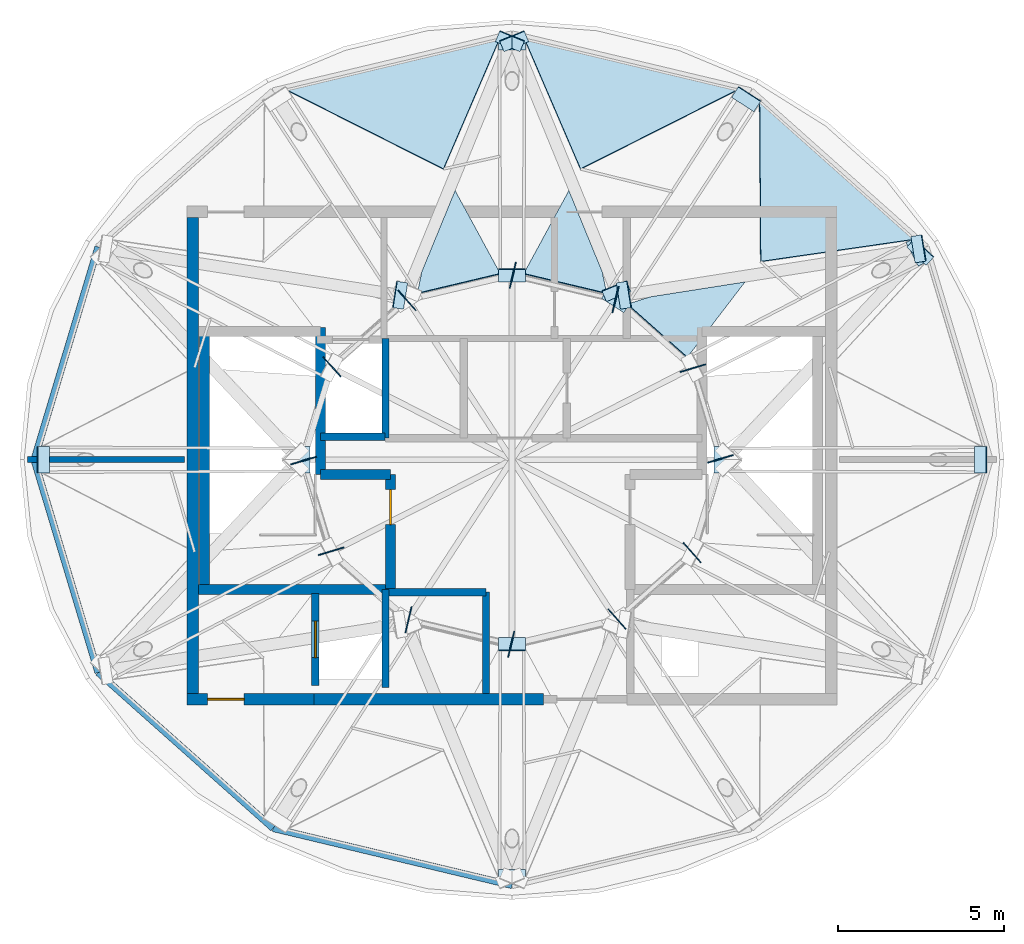
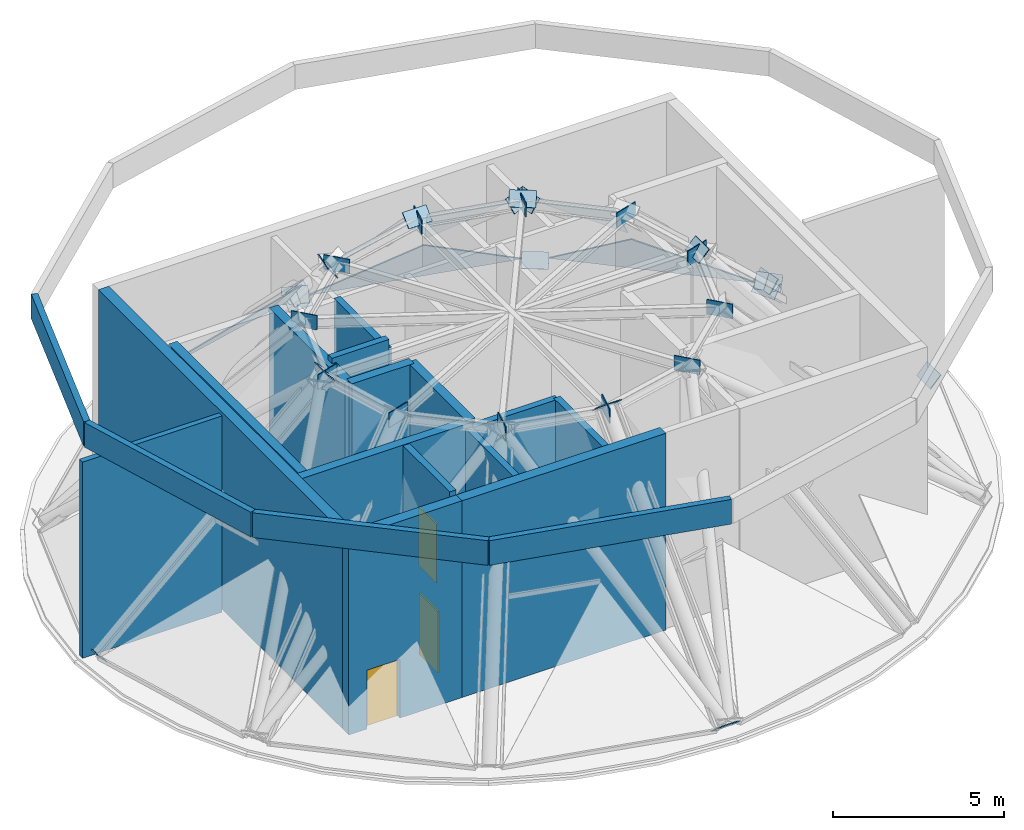
# One storey, part 4 of 6: 36 plates, 19 walls, 3 doors, 3 openings, 3 elements without a shape of their own.
"""IFC4 building model written with IfcOpenShell, lengths in metres."""

from ifc_helpers import new_model, si_unit, direction, frame, frame_2d, origin, origin_2d, place, context, subcontext, project, spatial, polyline, rectangle, outline, extrude, material, layer, layer_set, type_object, element, fill, aggregate, save


model = new_model("IFC4")

# Units and contexts
model_context = context("Model", 3, precision=1e-05, world=origin(), true_north=direction((0.0, 1.0)))
body_context = subcontext(model_context, "Body", "Model", "MODEL_VIEW")
ifc_project = project(units=[si_unit("LENGTHUNIT", "METRE"), si_unit("AREAUNIT", "SQUARE_METRE"), si_unit("VOLUMEUNIT", "CUBIC_METRE"), si_unit("PLANEANGLEUNIT", "RADIAN"), si_unit("MASSUNIT", "GRAM", prefix="KILO")], contexts=[model_context])

# Site, building, storey
site_placement = place(None, origin())
site = spatial("IfcSite", under=ifc_project, at=site_placement, CompositionType="ELEMENT")
building_placement = place(site_placement, origin())
building = spatial("IfcBuilding", under=site, at=building_placement, Name="Vantalir Tower", CompositionType="ELEMENT")
storey_placement = place(building_placement, frame((0.0, 0.0, 340.75)))
storey = spatial("IfcBuildingStorey", under=building, at=storey_placement, Name="L81", CompositionType="ELEMENT", Elevation=340.75)

# Curtain wall, plates
ifc_material_1 = material(Name="Champagne-silver PVDF aluminium and double-silver Low-E glass", Category="aluminium")
ifc_layer_1 = layer(ifc_material_1, 0.25)
ifc_layer_set_1 = layer_set([ifc_layer_1], Name="Champagne-silver PVDF aluminium and double-silver Low-E glass")
curtain_wall_type = type_object("IfcCurtainWallType", Name="CW-CROWN-PT", PredefinedType="USERDEFINED", material=ifc_layer_set_1)
curtain_wall_1_placement = place(storey_placement, origin())
curtain_wall_1 = element("IfcCurtainWall", 1, at=curtain_wall_1_placement, inside=storey, type_object=curtain_wall_type, Name="L81 Quilted Pyramid-Diamond Curtain Wall S02", ObjectType="UNITISED CURTAIN WALL", PredefinedType="USERDEFINED")
ifc_material_2 = material(Name="Faceted crown Low-E glass IGU", Category="glass")
ifc_layer_2 = layer(ifc_material_2, 0.033935546875)
ifc_layer_set_2 = layer_set([ifc_layer_2], Name="Faceted crown Low-E glass IGU")
plate_type_1 = type_object("IfcPlateType", Name="CWP-IGU-CRN-34", PredefinedType="CURTAIN_PANEL", material=ifc_layer_set_2)
plate_1_placement = place(storey_placement, frame((43.59130859375, 31.627197265625, 0.047119140625), z_axis=(0.47085544286, 0.528895832771, 0.706090893587), x_axis=(-0.746900141216, 0.664936221793, 0.0)))
plate_1 = element("IfcPlate", 2, at=plate_1_placement, type_object=plate_type_1, Name="CW-L81-S02 Pyramid Diamond Facet 1L", PredefinedType="CURTAIN_PANEL", context=body_context, shape_type="SweptSolid", body=[
    extrude(outline(polyline([(0.0, 0.0), (6.219390539027804, 4.440892098500626e-16), (3.0018507389684617, 5.046777884015427), (0.0, 0.0)])), origin(), (0.0, 0.0, -1.0), 0.033935546875),
])
plate_2_placement = place(storey_placement, frame((36.774169921875, 28.08349609375, 7.201171875), z_axis=(0.466950015206, 0.526189196339, 0.710691644073), x_axis=(-0.748159180665, 0.663519214309, 0.000304349513)))
plate_2 = element("IfcPlate", 3, at=plate_2_placement, type_object=plate_type_1, Name="CW-L81-S02 Pyramid Diamond Facet 2U", PredefinedType="CURTAIN_PANEL", context=body_context, shape_type="SweptSolid", body=[
    extrude(outline(polyline([(0.0, 0.0), (2.405644291032028, 1.1600963245594897e-17), (2.0409766761947306, -0.862571783400998), (0.20417968691725383, -3.995506891330522), (0.0, 0.0)])), origin(), (0.0, 0.0, -1.0), 0.033935546875),
])
aggregate(curtain_wall_1, [plate_1, plate_2])

curtain_wall_2_placement = place(storey_placement, origin())
curtain_wall_2 = element("IfcCurtainWall", 4, at=curtain_wall_2_placement, inside=storey, type_object=curtain_wall_type, Name="L81 Quilted Pyramid-Diamond Curtain Wall S03", ObjectType="UNITISED CURTAIN WALL", PredefinedType="USERDEFINED")
plate_3_placement = place(storey_placement, frame((38.266845703125, 36.116943359375, 0.046875), z_axis=(0.168123624686, 0.704736174202, 0.689261468235), x_axis=(-0.972711921088, 0.232016200272, 3.7205933e-05)))
plate_3 = element("IfcPlate", 5, at=plate_3_placement, type_object=plate_type_1, Name="CW-L81-S03 Pyramid Diamond Facet 1L", PredefinedType="CURTAIN_PANEL", context=body_context, shape_type="SweptSolid", body=[
    extrude(outline(polyline([(0.0, 0.0), (6.56187341968544, 1.250356155418908e-16), (4.026289871392273, 4.932392149191616), (0.0, 0.0)])), origin(), (0.0, 0.0, -1.0), 0.033935546875),
])
plate_4_placement = place(storey_placement, frame((34.3466796875, 30.00634765625, 7.20166015625), z_axis=(0.166434802453, 0.700157869869, 0.694318668764), x_axis=(-0.97286447464, 0.231375669371, -0.000116645511)))
plate_4 = element("IfcPlate", 6, at=plate_4_placement, type_object=plate_type_1, Name="CW-L81-S03 Pyramid Diamond Facet 2U", PredefinedType="CURTAIN_PANEL", context=body_context, shape_type="SweptSolid", body=[
    extrude(outline(polyline([(0.0, 0.0), (2.5617140622571855, 5.575509672006707e-17), (1.8206224080764046, -3.946092889802648), (0.2843916088266361, -0.8661115817483311), (0.0, 0.0)])), origin(), (0.0, 0.0, -1.0), 0.033935546875),
])
aggregate(curtain_wall_2, [plate_3, plate_4])

curtain_wall_3_placement = place(storey_placement, origin())
curtain_wall_3 = element("IfcCurtainWall", 7, at=curtain_wall_3_placement, inside=storey, type_object=curtain_wall_type, Name="L81 Quilted Pyramid-Diamond Curtain Wall S04", ObjectType="UNITISED CURTAIN WALL", PredefinedType="USERDEFINED")
plate_5_placement = place(storey_placement, frame((31.115966796875, 37.639404296875, 0.047119140625), z_axis=(-0.168123624686, 0.704736174202, 0.689261468235), x_axis=(-0.972711921088, -0.232016200272, -3.7205933e-05)))
plate_5 = element("IfcPlate", 8, at=plate_5_placement, type_object=plate_type_1, Name="CW-L81-S04 Pyramid Diamond Facet 1L", PredefinedType="CURTAIN_PANEL", context=body_context, shape_type="SweptSolid", body=[
    extrude(outline(polyline([(0.0, 0.0), (6.56187341968544, -1.250356155418908e-16), (2.535583548293166, 4.932392149191616), (0.0, 0.0)])), origin(), (0.0, 0.0, -1.0), 0.033935546875),
])
plate_6_placement = place(storey_placement, frame((31.1455078125, 30.59912109375, 7.201416015625), z_axis=(-0.166434802453, 0.700157869869, 0.694318668764), x_axis=(-0.97286447464, -0.231375669371, 0.000116645511)))
plate_6 = element("IfcPlate", 9, at=plate_6_placement, type_object=plate_type_1, Name="CW-L81-S04 Pyramid Diamond Facet 2U", PredefinedType="CURTAIN_PANEL", context=body_context, shape_type="SweptSolid", body=[
    extrude(outline(polyline([(0.0, 0.0), (2.5617140622571855, -5.575509672006707e-17), (2.277322453430549, -0.8661115817483314), (0.7410916541807805, -3.9460928898026486), (0.0, 0.0)])), origin(), (0.0, 0.0, -1.0), 0.033935546875),
])
aggregate(curtain_wall_3, [plate_5, plate_6])

# Plates
ifc_material_3 = material(Name="Steel S460", Category="steel")
ifc_layer_3 = layer(ifc_material_3, 0.031982421875)
ifc_layer_set_3 = layer_set([ifc_layer_3], Name="Steel S460")
plate_type_2 = type_object("IfcPlateType", Name="PLT-KN-Z3", PredefinedType="USERDEFINED", material=ifc_layer_set_3)
plate_7_placement = place(storey_placement, frame((37.575927734375, 25.39990234375, 7.075439453125), z_axis=(-0.734263237345, 0.0, 0.678864860103), x_axis=(0.0, -1.0, 0.0)))
element("IfcPlate", 10, at=plate_7_placement, inside=storey, type_object=plate_type_2, Name="L81 Ring Column Top Cap RC01", ObjectType="FLANGE_PLATE", PredefinedType="USERDEFINED", context=body_context, shape_type="SweptSolid", body=[
    extrude(outline(polyline([(0.0, 0.0), (0.7998046875, 0.0), (0.7998046875, 0.5200259499310439), (0.0, 0.5200259499310439), (0.0, 0.0)])), origin(), (0.0, 0.0, -1.0), 0.031982421875),
])
plate_8_placement = place(storey_placement, frame((45.398681640625, 25.39990234375, -0.155029296875), z_axis=(-0.734497286763, 0.0, 0.678611623639), x_axis=(0.0, -1.0, 0.0)))
element("IfcPlate", 11, at=plate_8_placement, inside=storey, type_object=plate_type_2, Name="L81 Ring Column Base Cap RC01", ObjectType="FLANGE_PLATE", PredefinedType="USERDEFINED", context=body_context, shape_type="SweptSolid", body=[
    extrude(outline(polyline([(0.0, 0.0), (0.7998046875, 0.0), (0.7998046875, 0.519860242347536), (0.0, 0.519860242347536), (0.0, 0.0)])), origin(), (0.0, 0.0, -1.0), 0.031982421875),
])
plate_9_placement = place(storey_placement, frame((43.3466796875, 31.527099609375, -0.152099609375), z_axis=(-0.644959051684, -0.332000033642, 0.688334075368), x_axis=(0.457625297504, -0.88914514141, -6.775628e-05)))
element("IfcPlate", 12, at=plate_9_placement, inside=storey, type_object=plate_type_2, Name="L81 Ring Column Base Cap RC02", ObjectType="FLANGE_PLATE", PredefinedType="USERDEFINED", context=body_context, shape_type="SweptSolid", body=[
    extrude(outline(polyline([(0.0, 0.0), (0.7998193647184004, 2.7755575615628914e-17), (0.799824812620426, 0.5200643397557038), (-0.00010627702412297597, 0.5199149131458727), (0.0, 0.0)])), origin(), (0.0, 0.0, -1.0), 0.031982421875),
])
plate_10_placement = place(storey_placement, frame((34.18994140625, 29.8544921875, 7.08349609375), z_axis=(-0.383502287784, -0.59226448206, 0.708624568128), x_axis=(0.839371437053, -0.543558266371, -4.1472866e-05)))
element("IfcPlate", 13, at=plate_10_placement, inside=storey, type_object=plate_type_2, Name="L81 Ring Column Top Cap RC03", ObjectType="FLANGE_PLATE", PredefinedType="USERDEFINED", context=body_context, shape_type="SweptSolid", body=[
    extrude(outline(polyline([(0.0, 0.0), (0.7998898252688998, 0.0), (0.7999809611601574, 0.5201019837185563), (-0.00011378877599158294, 0.5200079399430033), (0.0, 0.0)])), origin(), (0.0, 0.0, -1.0), 0.031982421875),
])
plate_11_placement = place(storey_placement, frame((38.100830078125, 35.894287109375, -0.145751953125), z_axis=(-0.383374096886, -0.592066509537, 0.708859330278), x_axis=(0.839371422049, -0.54355828954, -4.1472738e-05)))
element("IfcPlate", 14, at=plate_11_placement, inside=storey, type_object=plate_type_2, Name="L81 Ring Column Base Cap RC03", ObjectType="FLANGE_PLATE", PredefinedType="USERDEFINED", context=body_context, shape_type="SweptSolid", body=[
    extrude(outline(polyline([(0.0, 0.0), (0.7998898252698156, 5.551115123125783e-17), (0.7999809611592416, 0.519929765941413), (-0.00011378877416011763, 0.5198356910098434), (0.0, 0.0)])), origin(), (0.0, 0.0, -1.0), 0.031982421875),
])
for number, where, z_axis, x_axis, name in (
    (15, (31.10009765625, 30.34619140625, 7.086669921875), (0.0, -0.694317991894, 0.719668344539), (1.0, 0.0, 0.0), "L81 Ring Column Top Cap RC04"),
    (16, (31.10009765625, 37.319091796875, -0.142333984375), (0.0, -0.694317991894, 0.719668344539), (1.0, 0.0, 0.0), "L81 Ring Column Base Cap RC04"),
):
    element("IfcPlate", number, at=place(storey_placement, frame(where, z_axis=z_axis, x_axis=x_axis)), inside=storey, type_object=plate_type_2, Name=name, ObjectType="FLANGE_PLATE", PredefinedType="USERDEFINED", context=body_context, shape_type="SweptSolid", body=[
        extrude(outline(polyline([(0.0, 0.0), (0.7998046875, 0.0), (0.7998046875, 0.5200556353003765), (0.0, 0.5200556353003765), (0.0, 0.0)])), origin(), (0.0, 0.0, -1.0), 0.031982421875),
    ])
plate_12_placement = place(storey_placement, frame((25.424072265625, 24.60009765625, 7.075439453125), z_axis=(0.734263237345, 0.0, 0.678864860103), x_axis=(0.0, 1.0, 0.0)))
element("IfcPlate", 17, at=plate_12_placement, inside=storey, type_object=plate_type_2, Name="L81 Ring Column Top Cap RC07", ObjectType="FLANGE_PLATE", PredefinedType="USERDEFINED", context=body_context, shape_type="SweptSolid", body=[
    extrude(outline(polyline([(0.0, 0.0), (0.7998046875, 0.0), (0.7998046875, 0.5200259499310439), (0.0, 0.5200259499310439), (0.0, 0.0)])), origin(), (0.0, 0.0, -1.0), 0.031982421875),
])
plate_13_placement = place(storey_placement, frame((17.601318359375, 24.60009765625, -0.155029296875), z_axis=(0.734497286763, 0.0, 0.678611623639), x_axis=(0.0, 1.0, 0.0)))
element("IfcPlate", 18, at=plate_13_placement, inside=storey, type_object=plate_type_2, Name="L81 Ring Column Base Cap RC07", ObjectType="FLANGE_PLATE", PredefinedType="USERDEFINED", context=body_context, shape_type="SweptSolid", body=[
    extrude(outline(polyline([(0.0, 0.0), (0.7998046875, 0.0), (0.7998046875, 0.519860242347536), (0.0, 0.519860242347536), (0.0, 0.0)])), origin(), (0.0, 0.0, -1.0), 0.031982421875),
])
for number, where, z_axis, x_axis, name in (
    (19, (31.89990234375, 19.65380859375, 7.086669921875), (0.0, 0.694317991894, 0.719668344539), (-1.0, 0.0, 0.0), "L81 Ring Column Top Cap RC10"),
    (20, (31.89990234375, 12.680908203125, -0.142333984375), (0.0, 0.694317991894, 0.719668344539), (-1.0, 0.0, 0.0), "L81 Ring Column Base Cap RC10"),
):
    element("IfcPlate", number, at=place(storey_placement, frame(where, z_axis=z_axis, x_axis=x_axis)), inside=storey, type_object=plate_type_2, Name=name, ObjectType="FLANGE_PLATE", PredefinedType="USERDEFINED", context=body_context, shape_type="SweptSolid", body=[
        extrude(outline(polyline([(0.0, 0.0), (0.7998046875, 0.0), (0.7998046875, 0.5200556353003765), (0.0, 0.5200556353003765), (0.0, 0.0)])), origin(), (0.0, 0.0, -1.0), 0.031982421875),
    ])
plate_14_placement = place(storey_placement, frame((43.490966796875, 31.70849609375, 0.011474609375), z_axis=(-0.785735939388, -0.123814407257, 0.606043749336), x_axis=(0.155648326908, -0.987812531911, -1.1449276e-05)))
element("IfcPlate", 21, at=plate_14_placement, inside=storey, type_object=plate_type_2, Name="Node Cap Plate MEM-DG-L81-R04L Start", ObjectType="FLANGE_PLATE", PredefinedType="USERDEFINED", context=body_context, shape_type="SweptSolid", body=[
    extrude(outline(polyline([(0.0, 0.0), (0.800031692509212, 1.3877787807814457e-17), (0.8000028601900562, 0.5199485756029152), (0.00021233284976768555, 0.5199255480883864), (0.0, 0.0)])), origin(), (0.0, 0.0, -1.0), 0.031982421875),
])
plate_15_placement = place(storey_placement, frame((34.635986328125, 30.31396484375, 6.844482421875), z_axis=(-0.785515074428, -0.12377960388, 0.606337098906), x_axis=(0.155648318565, -0.987812533225, -1.1451598e-05)))
element("IfcPlate", 22, at=plate_15_placement, inside=storey, type_object=plate_type_2, Name="Node Cap Plate MEM-DG-L81-R04L End", ObjectType="FLANGE_PLATE", PredefinedType="USERDEFINED", context=body_context, shape_type="SweptSolid", body=[
    extrude(outline(polyline([(0.0, 0.0), (0.8000316925092923, 0.0), (0.8000408566457665, 0.5200947735439878), (0.0002503293057186982, 0.520071734883215), (0.0, 0.0)])), origin(), (0.0, 0.0, -1.0), 0.031982421875),
])
plate_16_placement = place(storey_placement, frame((43.363037109375, 31.391845703125, 0.021728515625), z_axis=(-0.532131812794, -0.565671523935, 0.629961475664), x_axis=(0.728398639626, -0.685153573424, 5.1150006e-05)))
element("IfcPlate", 23, at=plate_16_placement, inside=storey, type_object=plate_type_2, Name="Node Cap Plate MEM-DG-L81-R04R Start", ObjectType="FLANGE_PLATE", PredefinedType="USERDEFINED", context=body_context, shape_type="SweptSolid", body=[
    extrude(outline(polyline([(0.0, 0.0), (0.8000139953912334, 0.0), (0.8000354579622266, 0.5198995057462468), (0.0001992942701206379, 0.5200048747457753), (0.0, 0.0)])), origin(), (0.0, 0.0, -1.0), 0.031982421875),
])
plate_17_placement = place(storey_placement, frame((31.000244140625, 37.568359375, 0.027587890625), z_axis=(-0.290242096863, -0.708779613355, 0.642954885587), x_axis=(0.925415673901, -0.378953599401, 0.0)))
element("IfcPlate", 24, at=plate_17_placement, inside=storey, type_object=plate_type_2, Name="Node Cap Plate MEM-DG-L81-R10L Start", ObjectType="FLANGE_PLATE", PredefinedType="USERDEFINED", context=body_context, shape_type="SweptSolid", body=[
    extrude(outline(polyline([(0.0, 0.0), (0.8001577415519449, 0.0), (0.8001959554954987, 0.5198997954589216), (3.821394355375818e-05, 0.5198997954589216), (0.0, 0.0)])), origin(), (0.0, 0.0, -1.0), 0.031982421875),
])
plate_18_placement = place(storey_placement, frame((31.25927734375, 37.26513671875, 0.027587890625), z_axis=(0.290242096863, -0.708779613355, 0.642954885587), x_axis=(0.925415673901, 0.378953599401, 0.0)))
element("IfcPlate", 25, at=plate_18_placement, inside=storey, type_object=plate_type_2, Name="Node Cap Plate MEM-DG-L81-R10R Start", ObjectType="FLANGE_PLATE", PredefinedType="USERDEFINED", context=body_context, shape_type="SweptSolid", body=[
    extrude(outline(polyline([(0.0, 0.0), (0.8001577415519449, 0.0), (0.8001195276083912, 0.5198997954589216), (-3.821394355375818e-05, 0.5198997954589216), (0.0, 0.0)])), origin(), (0.0, 0.0, -1.0), 0.031982421875),
])
plate_19_placement = place(storey_placement, frame((34.33642578125, 29.751708984375, 6.8447265625), z_axis=(0.29019939795, -0.708843877796, 0.642903310258), x_axis=(0.925460330879, 0.378844525209, -4.1076965e-05)))
element("IfcPlate", 26, at=plate_19_placement, inside=storey, type_object=plate_type_2, Name="Node Cap Plate MEM-DG-L81-R10R End", ObjectType="FLANGE_PLATE", PredefinedType="USERDEFINED", context=body_context, shape_type="SweptSolid", body=[
    extrude(outline(polyline([(0.0, 0.0), (0.7998393015164632, -2.7755575615628914e-17), (0.7998378143661468, 0.5202320481238202), (-0.00031992095307245203, 0.5201462419352044), (0.0, 0.0)])), origin(), (0.0, 0.0, -1.0), 0.031982421875),
])
plate_20_placement = place(storey_placement, frame((28.239501953125, 29.523681640625, 6.844482421875), z_axis=(0.785515074428, -0.12377960388, 0.606337098906), x_axis=(0.155648318565, 0.987812533225, 1.1451598e-05)))
element("IfcPlate", 27, at=plate_20_placement, inside=storey, type_object=plate_type_2, Name="Node Cap Plate MEM-DG-L81-R16R End", ObjectType="FLANGE_PLATE", PredefinedType="USERDEFINED", context=body_context, shape_type="SweptSolid", body=[
    extrude(outline(polyline([(0.0, 0.0), (0.8000316925092923, 0.0), (0.7997813632035735, 0.5200717348832151), (-9.164136474251875e-06, 0.5200947735439878), (0.0, 0.0)])), origin(), (0.0, 0.0, -1.0), 0.031982421875),
])
for number, where, z_axis, x_axis, name in (
    (28, (37.762939453125, 25.02392578125, 6.869873046875), (0.0, 0.0, 1.0), (-0.289716766351, 0.95711242563, 0.0), "Node Cap Plate MEM-L81-PURL-01 Start"),
    (29, (36.93701171875, 27.7509765625, 6.869873046875), (0.0, 0.0, 1.0), (-0.289716766351, 0.95711242563, 0.0), "Node Cap Plate MEM-L81-PURL-01 End"),
    (30, (34.611083984375, 29.81201171875, 6.869873046875), (0.0, 0.0, 1.0), (-0.972977745976, 0.230898908261, 0.0), "Node Cap Plate MEM-L81-PURL-02 Start"),
    (31, (31.52392578125, 30.5439453125, 6.869873046875), (0.0, 0.0, 1.0), (-0.972977745976, 0.230898908261, 0.0), "Node Cap Plate MEM-L81-PURL-02 End"),
    (32, (28.345947265625, 29.7890625, 6.869873046875), (0.0, 0.0, 1.0), (-0.748863194276, -0.662724615703, 0.0), "Node Cap Plate MEM-L81-PURL-03 Start"),
    (33, (26.089111328125, 27.7919921875, 6.869873046875), (0.0, 0.0, 1.0), (-0.748863194276, -0.662724615703, 0.0), "Node Cap Plate MEM-L81-PURL-03 End"),
    (34, (25.237060546875, 24.97607421875, 6.869873046875), (0.0, 0.0, 1.0), (0.289716766351, -0.95711242563, 0.0), "Node Cap Plate MEM-L81-PURL-04 Start"),
    (35, (26.06298828125, 22.2490234375, 6.869873046875), (0.0, 0.0, 1.0), (0.289716766351, -0.95711242563, 0.0), "Node Cap Plate MEM-L81-PURL-04 End"),
    (36, (28.388916015625, 20.18798828125, 6.869873046875), (0.0, 0.0, 1.0), (0.972977745976, -0.230898908261, 0.0), "Node Cap Plate MEM-L81-PURL-05 Start"),
    (37, (31.47607421875, 19.4560546875, 6.869873046875), (0.0, 0.0, 1.0), (0.972977745976, -0.230898908261, 0.0), "Node Cap Plate MEM-L81-PURL-05 End"),
    (38, (34.654052734375, 20.2109375, 6.869873046875), (0.0, 0.0, 1.0), (0.748863194276, 0.662724615703, 0.0), "Node Cap Plate MEM-L81-PURL-06 Start"),
    (39, (36.910888671875, 22.2080078125, 6.869873046875), (0.0, 0.0, 1.0), (0.748863194276, 0.662724615703, 0.0), "Node Cap Plate MEM-L81-PURL-06 End"),
):
    element("IfcPlate", number, at=place(storey_placement, frame(where, z_axis=z_axis, x_axis=x_axis)), inside=storey, type_object=plate_type_2, Name=name, ObjectType="FLANGE_PLATE", PredefinedType="USERDEFINED", context=body_context, shape_type="SweptSolid", body=[
        extrude(rectangle(XDim=0.031982421875, YDim=0.800048828125, at=origin_2d()), origin(), (0.0, 0.0, 1.0), 0.52001953125),
    ])

# Wall, opening, door
ifc_material_4 = material(Name="Concrete C50/60", Category="concrete")
ifc_layer_4 = layer(ifc_material_4, 0.35009765625)
ifc_layer_set_4 = layer_set([ifc_layer_4], Name="Concrete C50/60")
wall_type_1 = type_object("IfcWallType", Name="WL-CORE-350", PredefinedType="SHEAR", material=ifc_layer_set_4)
wall_1_placement = place(storey_placement, frame((21.72509765625, 17.800048828125, 0.0), z_axis=(0.0, 0.0, 1.0), x_axis=(1.0, 0.0, 0.0)))
wall_1 = element("IfcWall", 40, at=wall_1_placement, inside=storey, type_object=wall_type_1, Name="L81 Core Shear Wall South-West", PredefinedType="SHEAR", context=body_context, shape_type="SweptSolid", body=[
    extrude(rectangle(XDim=3.824951171875, YDim=0.35009765625, at=frame_2d((1.91259765625, 0.0))), origin(), (0.0, 0.0, 1.0), 7.030029296875),
])
opening_1_placement = place(wall_1_placement, frame((0.625, 0.0, 0.0)))
opening_1 = element("IfcOpeningElement", 41, at=opening_1_placement, cuts=wall_1, Name="Opening D-FFL", PredefinedType="OPENING", context=body_context, shape_type="SweptSolid", body=[
    extrude(rectangle(XDim=1.10009765625, YDim=2.10009765625, at=frame_2d((0.550048828125, 1.050048828125))), frame((0.0, 0.18505859375, 0.0), z_axis=(0.0, -1.0, 0.0), x_axis=(1.0, 0.0, 0.0)), (0.0, 0.0, 1.0), 0.3701171875),
])
ifc_material_5 = material(Name="Fire-rated acoustic steel door", Category="steel")
door_type_1 = type_object("IfcDoorType", Name="DR-FIRE-LOBBY-1100", OperationType="NOTDEFINED", PredefinedType="DOOR", material=ifc_material_5)
door_1_placement = place(opening_1_placement, origin())
door_1 = element("IfcDoor", 42, at=door_1_placement, inside=storey, type_object=door_type_1, Name="L81 Firefighting Lobby West Access Door", OperationType="SINGLE_SWING_LEFT", OverallHeight=2.10009765625, OverallWidth=1.10009765625, PredefinedType="DOOR", context=body_context, shape_type="SweptSolid", body=[
    extrude(rectangle(XDim=1.10009765625, YDim=2.10009765625, at=frame_2d((0.550048828125, 1.050048828125))), frame((0.0, 0.02490234375, 0.0), z_axis=(0.0, -1.0, 0.0), x_axis=(1.0, 0.0, 0.0)), (0.0, 0.0, 1.0), 0.050048828125),
])
fill(opening_1, door_1)

# Walls
wall_2_placement = place(storey_placement, frame((25.550048828125, 17.800048828125, 0.0), z_axis=(0.0, 0.0, 1.0), x_axis=(1.0, 0.0, 0.0)))
element("IfcWall", 43, at=wall_2_placement, inside=storey, type_object=wall_type_1, Name="L81 Core Shear Wall South-Mid", PredefinedType="SHEAR", context=body_context, shape_type="SweptSolid", body=[
    extrude(rectangle(XDim=6.89990234375, YDim=0.35009765625, at=frame_2d((3.449951171875, 0.0))), origin(), (0.0, 0.0, 1.0), 7.030029296875),
])
wall_3_placement = place(storey_placement, frame((21.89990234375, 17.97509765625, 0.0), z_axis=(0.0, 0.0, 1.0), x_axis=(0.0, 1.0, 0.0)))
element("IfcWall", 44, at=wall_3_placement, inside=storey, type_object=wall_type_1, Name="L81 Core Shear Wall West", PredefinedType="SHEAR", context=body_context, shape_type="SweptSolid", body=[
    extrude(rectangle(XDim=14.2998046875, YDim=0.35009765625, at=frame_2d((7.14990234375, 0.0))), origin(), (0.0, 0.0, 1.0), 7.030029296875),
])
ifc_material_6 = material(Name="Concrete blockwork with fireboard lining", Category="masonry")
ifc_layer_5 = layer(ifc_material_6, 0.219970703125)
ifc_layer_set_5 = layer_set([ifc_layer_5], Name="Concrete blockwork with fireboard lining")
wall_type_2 = type_object("IfcWallType", Name="WL-FFL-220", PredefinedType="PARTITIONING", material=ifc_layer_set_5)
wall_4_placement = place(storey_placement, frame((25.75, 25.68994140625, 0.0), z_axis=(0.0, 0.0, 1.0), x_axis=(1.0, 0.0, 0.0)))
element("IfcWall", 45, at=wall_4_placement, inside=storey, type_object=wall_type_2, Name="L81 Fire Lift FL2 Crown South Shaft Wall", PredefinedType="PARTITIONING", context=body_context, shape_type="SweptSolid", body=[
    extrude(rectangle(XDim=1.929931640625, YDim=0.219970703125, at=frame_2d((0.96484375, 0.0))), origin(), (0.0, 0.0, 1.0), 7.22509765625),
])

# Wall, opening, door
wall_5_placement = place(storey_placement, frame((25.590087890625, 18.219970703125, 0.0), z_axis=(0.0, 0.0, 1.0), x_axis=(0.0, 1.0, 0.0)))
wall_5 = element("IfcWall", 46, at=wall_5_placement, inside=storey, type_object=wall_type_2, Name="L81 Lift FL1 Shaft Front Wall", PredefinedType="PARTITIONING", context=body_context, shape_type="SweptSolid", body=[
    extrude(rectangle(XDim=2.760009765625, YDim=0.219970703125, at=frame_2d((1.3798828125, 0.0))), origin(), (0.0, 0.0, 1.0), 7.010009765625),
])
opening_2_placement = place(wall_5_placement, frame((0.830078125, 0.0, 0.0)))
opening_2 = element("IfcOpeningElement", 47, at=opening_2_placement, cuts=wall_5, Name="Opening LD-FL1", PredefinedType="OPENING", context=body_context, shape_type="SweptSolid", body=[
    extrude(rectangle(XDim=1.10009765625, YDim=2.199951171875, at=frame_2d((0.550048828125, 1.10009765625))), frame((0.0, 0.119873046875, 0.0), z_axis=(0.0, -1.0, 0.0), x_axis=(1.0, 0.0, 0.0)), (0.0, 0.0, 1.0), 0.239990234375),
])
ifc_material_7 = material(Name="Brushed stainless-steel sliding lift landing door", Category="steel")
door_type_2 = type_object("IfcDoorType", Name="DR-LIFT-LANDING-1100", OperationType="DOUBLE_DOOR_SLIDING", PredefinedType="DOOR", material=ifc_material_7)
door_2_placement = place(opening_2_placement, origin())
door_2 = element("IfcDoor", 48, at=door_2_placement, inside=storey, type_object=door_type_2, Name="L81 Lift Landing Door FL1", OperationType="DOUBLE_DOOR_SLIDING", OverallHeight=2.199951171875, OverallWidth=1.10009765625, PredefinedType="DOOR", context=body_context, shape_type="SweptSolid", body=[
    extrude(rectangle(XDim=1.10009765625, YDim=2.199951171875, at=frame_2d((0.550048828125, 1.10009765625))), frame((0.0, 0.02490234375, 0.0), z_axis=(0.0, -1.0, 0.0), x_axis=(1.0, 0.0, 0.0)), (0.0, 0.0, 1.0), 0.050048828125),
])
fill(opening_2, door_2)

# Walls
wall_6_placement = place(storey_placement, frame((27.699951171875, 18.14990234375, 0.0), z_axis=(0.0, 0.0, 1.0), x_axis=(0.0, 1.0, 0.0)))
element("IfcWall", 49, at=wall_6_placement, inside=storey, type_object=wall_type_2, Name="L81 Fire Lift FL1 Dividing Wall", PredefinedType="PARTITIONING", context=body_context, shape_type="SweptSolid", body=[
    extrude(rectangle(XDim=2.9501953125, YDim=0.219970703125, at=frame_2d((1.47509765625, 0.0))), origin(), (0.0, 0.0, 1.0), 6.866943359375),
])
wall_7_placement = place(storey_placement, frame((27.699951171875, 25.64990234375, 0.0), z_axis=(0.0, 0.0, 1.0), x_axis=(0.0, 1.0, 0.0)))
element("IfcWall", 50, at=wall_7_placement, inside=storey, type_object=wall_type_2, Name="L81 Fire Lift FL2 Dividing Wall", PredefinedType="PARTITIONING", context=body_context, shape_type="SweptSolid", body=[
    extrude(rectangle(XDim=3.0, YDim=0.219970703125, at=frame_2d((1.5, 0.0))), origin(), (0.0, 0.0, 1.0), 6.866943359375),
])
wall_8_placement = place(storey_placement, frame((27.699951171875, 21.02001953125, 0.0), z_axis=(0.0, 0.0, 1.0), x_axis=(1.0, 0.0, 0.0)))
element("IfcWall", 51, at=wall_8_placement, inside=storey, type_object=wall_type_2, Name="L81 Firefighting Lobby West East-Wing North Wall", PredefinedType="PARTITIONING", context=body_context, shape_type="SweptSolid", body=[
    extrude(rectangle(XDim=3.02001953125, YDim=0.219970703125, at=frame_2d((1.510009765625, 0.0))), origin(), (0.0, 0.0, 1.0), 6.866943359375),
])
wall_9_placement = place(storey_placement, frame((30.719970703125, 17.97509765625, 0.0), z_axis=(0.0, 0.0, 1.0), x_axis=(0.0, 1.0, 0.0)))
element("IfcWall", 52, at=wall_9_placement, inside=storey, type_object=wall_type_2, Name="L81 Firefighting Lobby West East Wall", PredefinedType="PARTITIONING", context=body_context, shape_type="SweptSolid", body=[
    extrude(rectangle(XDim=3.044921875, YDim=0.219970703125, at=frame_2d((1.5224609375, 0.0))), origin(), (0.0, 0.0, 1.0), 6.866943359375),
])
ifc_material_8 = material(Name="Twin-stud acoustic fire-rated gypsum partition", Category="gypsum")
ifc_layer_6 = layer(ifc_material_8, 0.179931640625)
ifc_layer_set_6 = layer_set([ifc_layer_6], Name="Twin-stud acoustic fire-rated gypsum partition")
wall_type_3 = type_object("IfcWallType", Name="WL-GUEST-180", PredefinedType="PARTITIONING", material=ifc_layer_set_6)
wall_10_placement = place(storey_placement, frame((21.64990234375, 25.0, 0.0), z_axis=(0.0, 0.0, 1.0), x_axis=(-1.0, 0.0, 0.0)))
element("IfcWall", 53, at=wall_10_placement, inside=storey, type_object=wall_type_3, Name="L81 Radial Suite Partition 02", PredefinedType="PARTITIONING", context=body_context, shape_type="SweptSolid", body=[
    extrude(rectangle(XDim=4.712890625, YDim=0.179931640625, at=frame_2d((2.3564453125, 0.0))), origin(), (0.0, 0.0, 1.0), 7.010009765625),
])
ifc_material_9 = material(Name="Concrete C40/50 parapet upstand", Category="concrete")
ifc_layer_7 = layer(ifc_material_9, 0.199951171875)
ifc_layer_set_7 = layer_set([ifc_layer_7], Name="Concrete C40/50 parapet upstand")
wall_type_4 = type_object("IfcWallType", Name="WL-PARA-200", PredefinedType="PARAPET", material=ifc_layer_set_7)
wall_11_placement = place(storey_placement, frame((19.06005859375, 31.39599609375, 7.469970703125), z_axis=(0.0, 0.0, 1.0), x_axis=(-0.288072151293, -0.957608706962, 0.0)))
element("IfcWall", 54, at=wall_11_placement, inside=storey, type_object=wall_type_4, Name="Crown Apex Maintenance Parapet 06", PredefinedType="PARAPET", context=body_context, shape_type="SweptSolid", body=[
    extrude(rectangle(XDim=6.67919921875, YDim=0.199951171875, at=frame_2d((3.339599609375, 0.0))), origin(), (0.0, 0.0, 1.0), 0.880126953125),
])
wall_12_placement = place(storey_placement, frame((17.135986328125, 25.0, 7.469970703125), z_axis=(0.0, 0.0, 1.0), x_axis=(0.288031822869, -0.957620837814, 0.0)))
element("IfcWall", 55, at=wall_12_placement, inside=storey, type_object=wall_type_4, Name="Crown Apex Maintenance Parapet 07", PredefinedType="PARAPET", context=body_context, shape_type="SweptSolid", body=[
    extrude(rectangle(XDim=6.68017578125, YDim=0.199951171875, at=frame_2d((3.340087890625, 0.0))), origin(), (0.0, 0.0, 1.0), 0.880126953125),
])
wall_13_placement = place(storey_placement, frame((19.06005859375, 18.60302734375, 7.469970703125), z_axis=(0.0, 0.0, 1.0), x_axis=(0.746823596803, -0.665022191553, 0.0)))
element("IfcWall", 56, at=wall_13_placement, inside=storey, type_object=wall_type_4, Name="Crown Apex Maintenance Parapet 08", PredefinedType="PARAPET", context=body_context, shape_type="SweptSolid", body=[
    extrude(rectangle(XDim=7.04052734375, YDim=0.199951171875, at=frame_2d((3.520263671875, 0.0))), origin(), (0.0, 0.0, 1.0), 0.880126953125),
])
wall_14_placement = place(storey_placement, frame((24.318115234375, 13.9208984375, 7.469970703125), z_axis=(0.0, 0.0, 1.0), x_axis=(0.972687235371, -0.232119672037, 0.0)))
element("IfcWall", 57, at=wall_14_placement, inside=storey, type_object=wall_type_4, Name="Crown Apex Maintenance Parapet 09", PredefinedType="PARAPET", context=body_context, shape_type="SweptSolid", body=[
    extrude(rectangle(XDim=7.383544921875, YDim=0.199951171875, at=frame_2d((3.69189453125, 0.0))), origin(), (0.0, 0.0, 1.0), 0.880126953125),
])
ifc_layer_8 = layer(ifc_material_4, 0.300048828125)
ifc_layer_set_8 = layer_set([ifc_layer_8], Name="Concrete C50/60")
wall_type_5 = type_object("IfcWallType", Name="WL-STAIR-300", PredefinedType="SHEAR", material=ifc_layer_set_8)
wall_15_placement = place(storey_placement, frame((22.074951171875, 21.10009765625, 0.0), z_axis=(0.0, 0.0, 1.0), x_axis=(1.0, 0.0, 0.0)))
element("IfcWall", 58, at=wall_15_placement, inside=storey, type_object=wall_type_5, Name="L81 Stair ST1 South Wall", PredefinedType="SHEAR", context=body_context, shape_type="SweptSolid", body=[
    extrude(rectangle(XDim=5.775146484375, YDim=0.300048828125, at=frame_2d((2.8876953125, 0.0))), origin(), (0.0, 0.0, 1.0), 7.030029296875),
])
wall_16_placement = place(storey_placement, frame((25.739990234375, 24.550048828125, 0.0), z_axis=(0.0, 0.0, 1.0), x_axis=(0.0, 1.0, 0.0)))
element("IfcWall", 59, at=wall_16_placement, inside=storey, type_object=wall_type_5, Name="L81 Stair ST1 Upper East Wall", PredefinedType="SHEAR", context=body_context, shape_type="SweptSolid", body=[
    extrude(rectangle(XDim=4.419921875, YDim=0.300048828125, at=frame_2d((2.2099609375, 0.0))), origin(), (0.0, 0.0, 1.0), 7.030029296875),
])
wall_17_placement = place(storey_placement, frame((25.739990234375, 24.550048828125, 0.0), z_axis=(0.0, 0.0, 1.0), x_axis=(1.0, 0.0, 0.0)))
element("IfcWall", 60, at=wall_17_placement, inside=storey, type_object=wall_type_5, Name="L81 Stair ST1 Vestibule North Wall", PredefinedType="SHEAR", context=body_context, shape_type="SweptSolid", body=[
    extrude(rectangle(XDim=2.110107421875, YDim=0.300048828125, at=frame_2d((1.05517578125, 0.0))), origin(), (0.0, 0.0, 1.0), 7.030029296875),
])

# Wall, opening, door
wall_18_placement = place(storey_placement, frame((27.85009765625, 21.10009765625, 0.0), z_axis=(0.0, 0.0, 1.0), x_axis=(0.0, 1.0, 0.0)))
wall_18 = element("IfcWall", 61, at=wall_18_placement, inside=storey, type_object=wall_type_5, Name="L81 Stair ST1 Vestibule East Wall", PredefinedType="SHEAR", context=body_context, shape_type="SweptSolid", body=[
    extrude(rectangle(XDim=3.449951171875, YDim=0.300048828125, at=frame_2d((1.72509765625, 0.0))), origin(), (0.0, 0.0, 1.0), 7.030029296875),
])
opening_3_placement = place(wall_18_placement, frame((1.949951171875, 0.0, 0.0)))
opening_3 = element("IfcOpeningElement", 62, at=opening_3_placement, cuts=wall_18, Name="Opening D-ST", PredefinedType="OPENING", context=body_context, shape_type="SweptSolid", body=[
    extrude(rectangle(XDim=1.050048828125, YDim=2.10009765625, at=frame_2d((0.52490234375, 1.050048828125))), frame((0.0, 0.159912109375, 0.0), z_axis=(0.0, -1.0, 0.0), x_axis=(1.0, 0.0, 0.0)), (0.0, 0.0, 1.0), 0.320068359375),
])
ifc_material_10 = material(Name="Fire-rated steel door leaf", Category="steel")
door_type_3 = type_object("IfcDoorType", Name="DR-FIRE-STAIR-1050", OperationType="NOTDEFINED", PredefinedType="DOOR", material=ifc_material_10)
door_3_placement = place(opening_3_placement, origin())
door_3 = element("IfcDoor", 63, at=door_3_placement, inside=storey, type_object=door_type_3, Name="L81 Exit Stair ST1 Fire Door", OperationType="SINGLE_SWING_LEFT", OverallHeight=2.10009765625, OverallWidth=1.050048828125, PredefinedType="DOOR", context=body_context, shape_type="SweptSolid", body=[
    extrude(rectangle(XDim=1.050048828125, YDim=2.10009765625, at=frame_2d((0.52490234375, 1.050048828125))), frame((0.0, 0.02490234375, 0.0), z_axis=(0.0, -1.0, 0.0), x_axis=(1.0, 0.0, 0.0)), (0.0, 0.0, 1.0), 0.050048828125),
])
fill(opening_3, door_3)

# Wall
wall_19_placement = place(storey_placement, frame((22.260009765625, 21.10009765625, 0.0), z_axis=(0.0, 0.0, 1.0), x_axis=(0.0, 1.0, 0.0)))
element("IfcWall", 64, at=wall_19_placement, inside=storey, type_object=wall_type_5, Name="L81 Stair ST1 West Liner Wall", PredefinedType="SHEAR", context=body_context, shape_type="SweptSolid", body=[
    extrude(rectangle(XDim=7.75, YDim=0.300048828125, at=frame_2d((3.875, 0.0))), origin(), (0.0, 0.0, 1.0), 7.030029296875),
])

save(model, "model.ifc")
